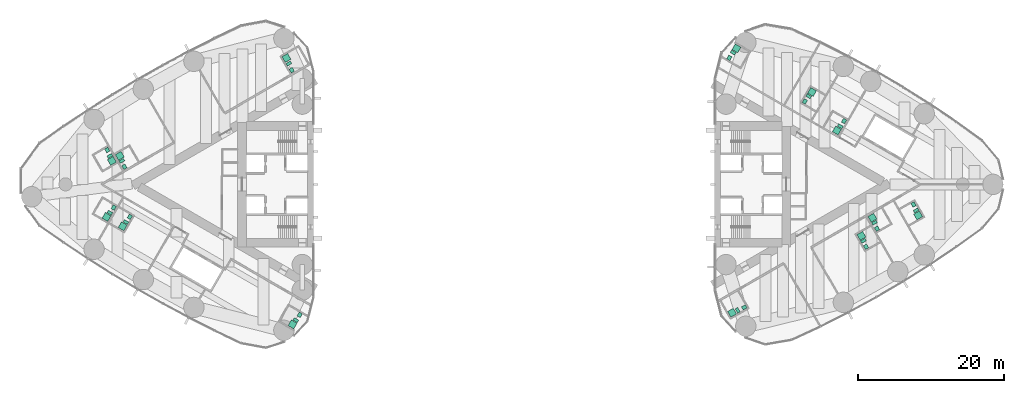
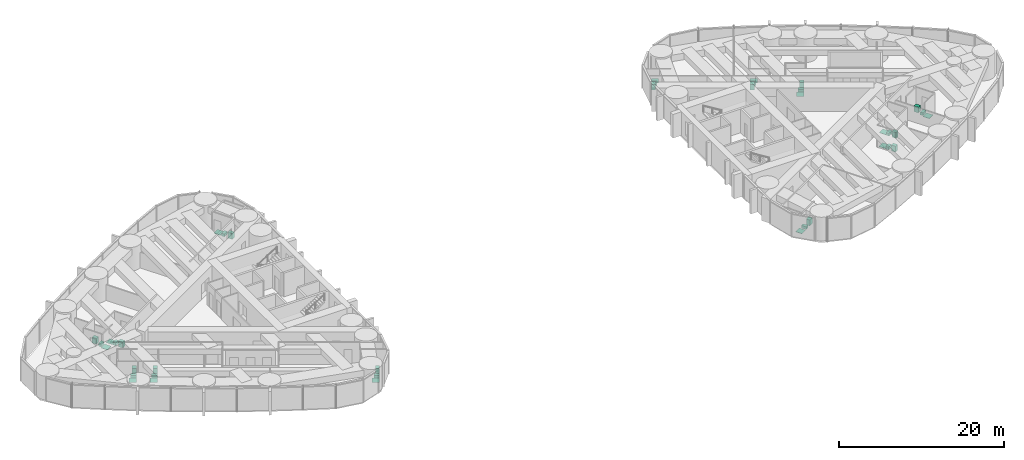
# One storey, part 19 of 19: 17 sanitary terminals.
"""IFC4 building model written with IfcOpenShell, lengths in metres."""

from ifc_helpers import new_model, si_unit, direction, frame, origin, origin_2d, place, context, subcontext, project, spatial, rectangle, extrude, material, type_object, element, save


model = new_model("IFC4")

# Units and contexts
model_context = context("Model", 3, precision=1e-05, world=origin(), true_north=direction((0.0, 1.0)))
body_context = subcontext(model_context, "Body", "Model", "MODEL_VIEW")
ifc_project = project(units=[si_unit("LENGTHUNIT", "METRE"), si_unit("AREAUNIT", "SQUARE_METRE"), si_unit("VOLUMEUNIT", "CUBIC_METRE"), si_unit("PLANEANGLEUNIT", "RADIAN"), si_unit("MASSUNIT", "GRAM", prefix="KILO")], contexts=[model_context])

# Site, building, storey
site_placement = place(None, origin())
site = spatial("IfcSite", under=ifc_project, at=site_placement, CompositionType="ELEMENT")
building_placement = place(site_placement, origin())
building = spatial("IfcBuilding", under=site, at=building_placement, Name="Lancet Gate Hotel", CompositionType="ELEMENT")
storey_placement = place(building_placement, frame((0.0, 0.0, 163.300048828125)))
storey = spatial("IfcBuildingStorey", under=building, at=storey_placement, Name="L43", CompositionType="ELEMENT", Elevation=163.300048828125)

# Sanitary terminals
ifc_material_1 = material(Name="Vitreous china sanitary ware")
sanitary_terminal_type_1 = type_object("IfcSanitaryTerminalType", Name="En-suite sanitary set (shower, WC, basin)", PredefinedType="USERDEFINED", material=ifc_material_1)
sanitary_terminal_1_placement = place(storey_placement, frame((-54.058349609375, 3.90869140625, 0.0), z_axis=(0.0, 0.0, 1.0), x_axis=(1.0, 0.0, 0.0)))
element("IfcSanitaryTerminal", 1, at=sanitary_terminal_1_placement, inside=storey, type_object=sanitary_terminal_type_1, Name="En-suite sanitary set (shower, WC, basin) 4303", ObjectType="EN-SUITE SANITARY SET", PredefinedType="USERDEFINED", context=body_context, shape_type="SweptSolid", body=[
    extrude(rectangle(XDim=0.89990234375, YDim=0.89990234375, at=origin_2d()), frame((0.0, 0.0, 0.0), z_axis=(0.0, 0.0, 1.0), x_axis=(-0.5, 0.866025403784, 0.0)), (0.0, 0.0, 1.0), 0.050048828125),
    extrude(rectangle(XDim=0.39990234375, YDim=0.699951171875, at=origin_2d()), frame((0.2783203125, -0.682373046875, 0.0), z_axis=(0.0, 0.0, 1.0), x_axis=(-0.5, 0.866025403784, 0.0)), (0.0, 0.0, 1.0), 0.39990234375),
    extrude(rectangle(XDim=0.60009765625, YDim=0.5, at=origin_2d()), frame((0.631591796875, -1.494384765625, 0.0), z_axis=(0.0, 0.0, 1.0), x_axis=(-0.5, 0.866025403784, 0.0)), (0.0, 0.0, 1.0), 0.85009765625),
])
sanitary_terminal_2_placement = place(storey_placement, frame((-55.1455078125, 3.211669921875, 0.0), z_axis=(0.0, 0.0, 1.0), x_axis=(1.0, 0.0, 0.0)))
element("IfcSanitaryTerminal", 2, at=sanitary_terminal_2_placement, inside=storey, type_object=sanitary_terminal_type_1, Name="En-suite sanitary set (shower, WC, basin) 4304", ObjectType="EN-SUITE SANITARY SET", PredefinedType="USERDEFINED", context=body_context, shape_type="SweptSolid", body=[
    extrude(rectangle(XDim=0.89990234375, YDim=0.89990234375, at=origin_2d()), frame((0.0, 0.0, 0.0), z_axis=(0.0, 0.0, 1.0), x_axis=(0.5, -0.866025403784, 0.0)), (0.0, 0.0, 1.0), 0.050048828125),
    extrude(rectangle(XDim=0.39990234375, YDim=0.699951171875, at=origin_2d()), frame((-0.278564453125, 0.68212890625, 0.0), z_axis=(0.0, 0.0, 1.0), x_axis=(0.5, -0.866025403784, 0.0)), (0.0, 0.0, 1.0), 0.39990234375),
    extrude(rectangle(XDim=0.60009765625, YDim=0.5, at=origin_2d()), frame((-0.6318359375, 1.494140625, 0.0), z_axis=(0.0, 0.0, 1.0), x_axis=(0.5, -0.866025403784, 0.0)), (0.0, 0.0, 1.0), 0.85009765625),
])
sanitary_terminal_3_placement = place(storey_placement, frame((-55.87548828125, -4.47607421875, 0.0), z_axis=(0.0, 0.0, 1.0), x_axis=(1.0, 0.0, 0.0)))
element("IfcSanitaryTerminal", 3, at=sanitary_terminal_3_placement, inside=storey, type_object=sanitary_terminal_type_1, Name="En-suite sanitary set (shower, WC, basin) 4305", ObjectType="EN-SUITE SANITARY SET", PredefinedType="USERDEFINED", context=body_context, shape_type="SweptSolid", body=[
    extrude(rectangle(XDim=0.89990234375, YDim=0.89990234375, at=origin_2d()), frame((0.0, 0.0, 0.0), z_axis=(0.0, 0.0, 1.0), x_axis=(-0.5, -0.866025403784, 0.0)), (0.0, 0.0, 1.0), 0.050048828125),
    extrude(rectangle(XDim=0.39990234375, YDim=0.699951171875, at=origin_2d()), frame((0.451416015625, 0.582275390625, 0.0), z_axis=(0.0, 0.0, 1.0), x_axis=(-0.5, -0.866025403784, 0.0)), (0.0, 0.0, 1.0), 0.39990234375),
    extrude(rectangle(XDim=0.60009765625, YDim=0.5, at=origin_2d()), frame((0.97802734375, 1.29443359375, 0.0), z_axis=(0.0, 0.0, 1.0), x_axis=(-0.5, -0.866025403784, 0.0)), (0.0, 0.0, 1.0), 0.85009765625),
])
for number, where, z_axis, x_axis, name in (
    (4, (-53.667236328125, -5.7509765625, 0.0), (0.0, 0.0, 1.0), (1.0, 0.0, 0.0), "En-suite sanitary set (shower, WC, basin) 4306"),
    (5, (-30.37841796875, -19.19677734375, 0.0), (0.0, 0.0, 1.0), (1.0, 0.0, 0.0), "En-suite sanitary set (shower, WC, basin) 4308"),
):
    element("IfcSanitaryTerminal", number, at=place(storey_placement, frame(where, z_axis=z_axis, x_axis=x_axis)), inside=storey, type_object=sanitary_terminal_type_1, Name=name, ObjectType="EN-SUITE SANITARY SET", PredefinedType="USERDEFINED", context=body_context, shape_type="SweptSolid", body=[
        extrude(rectangle(XDim=0.89990234375, YDim=0.89990234375, at=origin_2d()), frame((0.0, 0.0, 0.0), z_axis=(0.0, 0.0, 1.0), x_axis=(-0.5, -0.866025403784, 0.0)), (0.0, 0.0, 1.0), 0.050048828125),
        extrude(rectangle(XDim=0.39990234375, YDim=0.699951171875, at=origin_2d()), frame((0.451416015625, 0.582275390625, 0.0), z_axis=(0.0, 0.0, 1.0), x_axis=(-0.5, -0.866025403784, 0.0)), (0.0, 0.0, 1.0), 0.39990234375),
        extrude(rectangle(XDim=0.60009765625, YDim=0.5, at=origin_2d()), frame((0.97802734375, 1.294189453125, 0.0), z_axis=(0.0, 0.0, 1.0), x_axis=(-0.5, -0.866025403784, 0.0)), (0.0, 0.0, 1.0), 0.85009765625),
    ])
sanitary_terminal_4_placement = place(storey_placement, frame((47.60986328125, -7.062255859375, 0.0), z_axis=(0.0, 0.0, 1.0), x_axis=(1.0, 0.0, 0.0)))
element("IfcSanitaryTerminal", 6, at=sanitary_terminal_4_placement, inside=storey, type_object=sanitary_terminal_type_1, Name="En-suite sanitary set (shower, WC, basin) 4354", ObjectType="EN-SUITE SANITARY SET", PredefinedType="USERDEFINED", context=body_context, shape_type="SweptSolid", body=[
    extrude(rectangle(XDim=0.89990234375, YDim=0.89990234375, at=origin_2d()), frame((0.0, 0.0, 0.0), z_axis=(0.0, 0.0, 1.0), x_axis=(-0.5, 0.866025403784, 0.0)), (0.0, 0.0, 1.0), 0.050048828125),
    extrude(rectangle(XDim=0.39990234375, YDim=0.699951171875, at=origin_2d()), frame((0.2783203125, -0.68212890625, 0.0), z_axis=(0.0, 0.0, 1.0), x_axis=(-0.5, 0.866025403784, 0.0)), (0.0, 0.0, 1.0), 0.39990234375),
    extrude(rectangle(XDim=0.60009765625, YDim=0.5, at=origin_2d()), frame((0.6318359375, -1.494384765625, 0.0), z_axis=(0.0, 0.0, 1.0), x_axis=(-0.5, 0.866025403784, 0.0)), (0.0, 0.0, 1.0), 0.85009765625),
])
sanitary_terminal_5_placement = place(storey_placement, frame((49.118408203125, -4.574951171875, 0.0), z_axis=(0.0, 0.0, 1.0), x_axis=(1.0, 0.0, 0.0)))
element("IfcSanitaryTerminal", 7, at=sanitary_terminal_5_placement, inside=storey, type_object=sanitary_terminal_type_1, Name="En-suite sanitary set (shower, WC, basin) 4356", ObjectType="EN-SUITE SANITARY SET", PredefinedType="USERDEFINED", context=body_context, shape_type="SweptSolid", body=[
    extrude(rectangle(XDim=0.89990234375, YDim=0.89990234375, at=origin_2d()), frame((0.0, 0.0, 0.0), z_axis=(0.0, 0.0, 1.0), x_axis=(-0.5, 0.866025403784, 0.0)), (0.0, 0.0, 1.0), 0.050048828125),
    extrude(rectangle(XDim=0.39990234375, YDim=0.699951171875, at=origin_2d()), frame((0.2783203125, -0.68212890625, 0.0), z_axis=(0.0, 0.0, 1.0), x_axis=(-0.5, 0.866025403784, 0.0)), (0.0, 0.0, 1.0), 0.39990234375),
    extrude(rectangle(XDim=0.60009765625, YDim=0.5, at=origin_2d()), frame((0.631591796875, -1.494140625, 0.0), z_axis=(0.0, 0.0, 1.0), x_axis=(-0.5, 0.866025403784, 0.0)), (0.0, 0.0, 1.0), 0.85009765625),
])
sanitary_terminal_6_placement = place(storey_placement, frame((55.39013671875, -4.25634765625, 0.0), z_axis=(0.0, 0.0, 1.0), x_axis=(1.0, 0.0, 0.0)))
element("IfcSanitaryTerminal", 8, at=sanitary_terminal_6_placement, inside=storey, type_object=sanitary_terminal_type_1, Name="En-suite sanitary set (shower, WC, basin) 4357", ObjectType="EN-SUITE SANITARY SET", PredefinedType="USERDEFINED", context=body_context, shape_type="SweptSolid", body=[
    extrude(rectangle(XDim=0.89990234375, YDim=0.89990234375, at=origin_2d()), frame((0.0, 0.0, 0.0), z_axis=(0.0, 0.0, 1.0), x_axis=(0.5, -0.866025403784, 0.0)), (0.0, 0.0, 1.0), 0.050048828125),
    extrude(rectangle(XDim=0.39990234375, YDim=0.699951171875, at=origin_2d()), frame((-0.2783203125, 0.68212890625, 0.0), z_axis=(0.0, 0.0, 1.0), x_axis=(0.5, -0.866025403784, 0.0)), (0.0, 0.0, 1.0), 0.39990234375),
    extrude(rectangle(XDim=0.60009765625, YDim=0.5, at=origin_2d()), frame((-0.6318359375, 1.494384765625, 0.0), z_axis=(0.0, 0.0, 1.0), x_axis=(0.5, -0.866025403784, 0.0)), (0.0, 0.0, 1.0), 0.85009765625),
])
sanitary_terminal_7_placement = place(storey_placement, frame((44.247802734375, 7.38671875, 0.0), z_axis=(0.0, 0.0, 1.0), x_axis=(1.0, 0.0, 0.0)))
element("IfcSanitaryTerminal", 9, at=sanitary_terminal_7_placement, inside=storey, type_object=sanitary_terminal_type_1, Name="En-suite sanitary set (shower, WC, basin) 4361", ObjectType="EN-SUITE SANITARY SET", PredefinedType="USERDEFINED", context=body_context, shape_type="SweptSolid", body=[
    extrude(rectangle(XDim=0.89990234375, YDim=0.89990234375, at=origin_2d()), frame((0.0, 0.0, 0.0), z_axis=(0.0, 0.0, 1.0), x_axis=(-0.5, -0.866025403784, 0.0)), (0.0, 0.0, 1.0), 0.050048828125),
    extrude(rectangle(XDim=0.39990234375, YDim=0.699951171875, at=origin_2d()), frame((0.45166015625, 0.582275390625, 0.0), z_axis=(0.0, 0.0, 1.0), x_axis=(-0.5, -0.866025403784, 0.0)), (0.0, 0.0, 1.0), 0.39990234375),
    extrude(rectangle(XDim=0.60009765625, YDim=0.5, at=origin_2d()), frame((0.978271484375, 1.29443359375, 0.0), z_axis=(0.0, 0.0, 1.0), x_axis=(-0.5, -0.866025403784, 0.0)), (0.0, 0.0, 1.0), 0.85009765625),
])
sanitary_terminal_8_placement = place(storey_placement, frame((40.83447265625, 12.659912109375, 0.0), z_axis=(0.0, 0.0, 1.0), x_axis=(1.0, 0.0, 0.0)))
element("IfcSanitaryTerminal", 10, at=sanitary_terminal_8_placement, inside=storey, type_object=sanitary_terminal_type_1, Name="En-suite sanitary set (shower, WC, basin) 4362", ObjectType="EN-SUITE SANITARY SET", PredefinedType="USERDEFINED", context=body_context, shape_type="SweptSolid", body=[
    extrude(rectangle(XDim=0.89990234375, YDim=0.89990234375, at=origin_2d()), frame((0.0, 0.0, 0.0), z_axis=(0.0, 0.0, 1.0), x_axis=(0.5, 0.866025403784, 0.0)), (0.0, 0.0, 1.0), 0.050048828125),
    extrude(rectangle(XDim=0.39990234375, YDim=0.699951171875, at=origin_2d()), frame((-0.45166015625, -0.58203125, 0.0), z_axis=(0.0, 0.0, 1.0), x_axis=(0.5, 0.866025403784, 0.0)), (0.0, 0.0, 1.0), 0.39990234375),
    extrude(rectangle(XDim=0.60009765625, YDim=0.5, at=origin_2d()), frame((-0.978271484375, -1.294189453125, 0.0), z_axis=(0.0, 0.0, 1.0), x_axis=(0.5, 0.866025403784, 0.0)), (0.0, 0.0, 1.0), 0.85009765625),
])
sanitary_terminal_9_placement = place(storey_placement, frame((30.477783203125, 18.639404296875, 0.0), z_axis=(0.0, 0.0, 1.0), x_axis=(1.0, 0.0, 0.0)))
element("IfcSanitaryTerminal", 11, at=sanitary_terminal_9_placement, inside=storey, type_object=sanitary_terminal_type_1, Name="En-suite sanitary set (shower, WC, basin) 4363", ObjectType="EN-SUITE SANITARY SET", PredefinedType="USERDEFINED", context=body_context, shape_type="SweptSolid", body=[
    extrude(rectangle(XDim=0.89990234375, YDim=0.89990234375, at=origin_2d()), frame((0.0, 0.0, 0.0), z_axis=(0.0, 0.0, 1.0), x_axis=(0.5, 0.866025403784, 0.0)), (0.0, 0.0, 1.0), 0.050048828125),
    extrude(rectangle(XDim=0.39990234375, YDim=0.699951171875, at=origin_2d()), frame((-0.451416015625, -0.582275390625, 0.0), z_axis=(0.0, 0.0, 1.0), x_axis=(0.5, 0.866025403784, 0.0)), (0.0, 0.0, 1.0), 0.39990234375),
    extrude(rectangle(XDim=0.60009765625, YDim=0.5, at=origin_2d()), frame((-0.97802734375, -1.29443359375, 0.0), z_axis=(0.0, 0.0, 1.0), x_axis=(0.5, 0.866025403784, 0.0)), (0.0, 0.0, 1.0), 0.85009765625),
])
ifc_material_2 = material(Name="Stone resin shower tray", Category="masonry")
sanitary_terminal_type_2 = type_object("IfcSanitaryTerminalType", Name="Shower tray 900", PredefinedType="SHOWER", material=ifc_material_2)
for number, where, z_axis, x_axis, name in (
    (12, (-31.216064453125, 17.327392578125, 0.0), (0.0, 0.0, 1.0), (-0.5, 0.866025403784, 0.0), "Shower tray 900 4301"),
    (13, (29.8779296875, -17.60009765625, 0.0), (0.0, 0.0, 1.0), (-0.866025403784, -0.5, 0.0), "Shower tray 900 4351"),
):
    element("IfcSanitaryTerminal", number, at=place(storey_placement, frame(where, z_axis=z_axis, x_axis=x_axis)), inside=storey, type_object=sanitary_terminal_type_2, Name=name, PredefinedType="SHOWER", context=body_context, shape_type="SweptSolid", body=[
        extrude(rectangle(XDim=0.89990234375, YDim=0.89990234375, at=origin_2d()), origin(), (0.0, 0.0, 1.0), 0.050048828125),
    ])
ifc_material_3 = material(Name="Vitreous china sanitary ware")
sanitary_terminal_type_3 = type_object("IfcSanitaryTerminalType", Name="Vanity basin 600", PredefinedType="WASHHANDBASIN", material=ifc_material_3)
for number, where, z_axis, x_axis, name in (
    (14, (-30.484375, 15.659912109375, 0.0), (0.0, 0.0, 1.0), (-0.5, 0.866025403784, 0.0), "Vanity basin 600 4301"),
    (15, (31.54541015625, -16.868408203125, 0.0), (0.0, 0.0, 1.0), (-0.866025403784, -0.5, 0.0), "Vanity basin 600 4351"),
):
    element("IfcSanitaryTerminal", number, at=place(storey_placement, frame(where, z_axis=z_axis, x_axis=x_axis)), inside=storey, type_object=sanitary_terminal_type_3, Name=name, PredefinedType="WASHHANDBASIN", context=body_context, shape_type="SweptSolid", body=[
        extrude(rectangle(XDim=0.60009765625, YDim=0.5, at=origin_2d()), origin(), (0.0, 0.0, 1.0), 0.85009765625),
    ])
ifc_material_4 = material(Name="Vitreous china sanitary ware")
sanitary_terminal_type_4 = type_object("IfcSanitaryTerminalType", Name="WC pan wall hung", PredefinedType="TOILETPAN", material=ifc_material_4)
for number, where, z_axis, x_axis, name in (
    (16, (-30.8876953125, 16.55859375, 0.0), (0.0, 0.0, 1.0), (-0.5, 0.866025403784, 0.0), "WC pan wall hung 4301"),
    (17, (30.646728515625, -17.271728515625, 0.0), (0.0, 0.0, 1.0), (-0.866025403784, -0.5, 0.0), "WC pan wall hung 4351"),
):
    element("IfcSanitaryTerminal", number, at=place(storey_placement, frame(where, z_axis=z_axis, x_axis=x_axis)), inside=storey, type_object=sanitary_terminal_type_4, Name=name, PredefinedType="TOILETPAN", context=body_context, shape_type="SweptSolid", body=[
        extrude(rectangle(XDim=0.39990234375, YDim=0.699951171875, at=origin_2d()), origin(), (0.0, 0.0, 1.0), 0.39990234375),
    ])

save(model, "model.ifc")
